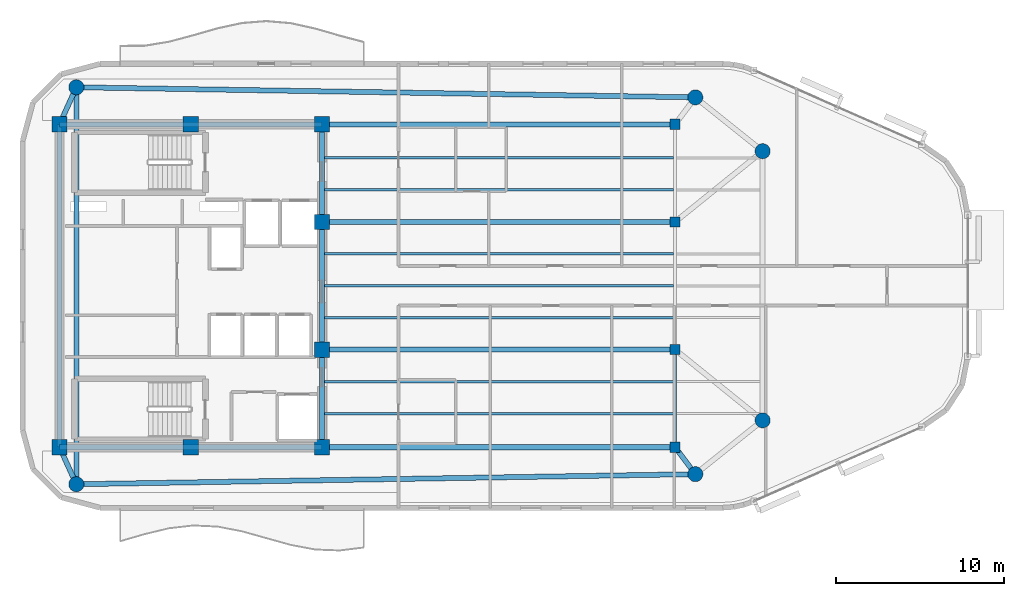
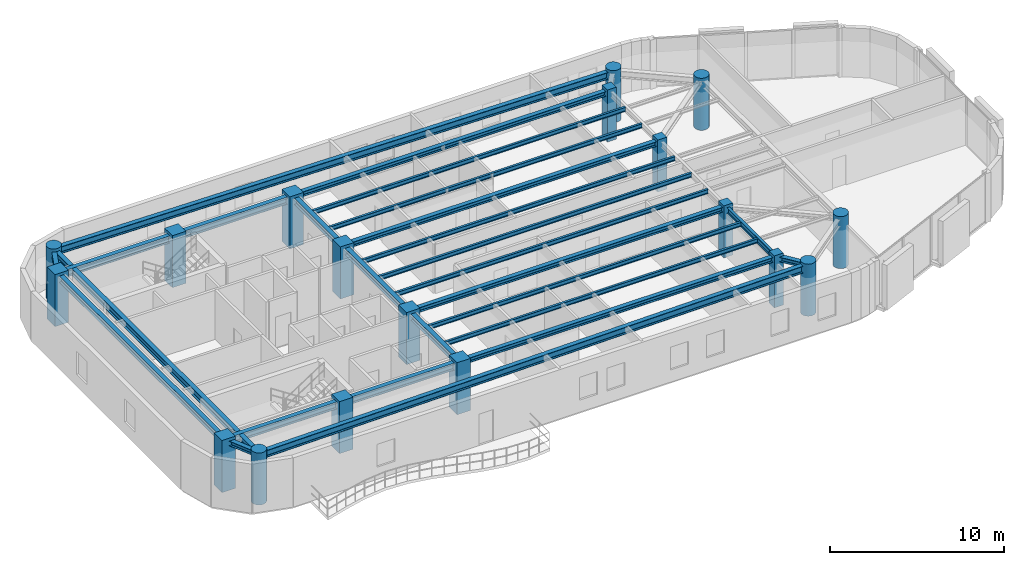
# One storey, part 1 of 14: 24 beams, 18 columns.
"""IFC4 building model written with IfcOpenShell, lengths in metres."""

from ifc_helpers import new_model, si_unit, direction, frame, origin, origin_2d, place, context, subcontext, project, spatial, rectangle, circle, i_section, extrude, material, material_profile, profile_set, type_object, element, save


model = new_model("IFC4")

# Units and contexts
model_context = context("Model", 3, precision=1e-05, world=origin(), true_north=direction((0.0, 1.0)))
body_context = subcontext(model_context, "Body", "Model", "MODEL_VIEW")
ifc_project = project(units=[si_unit("LENGTHUNIT", "METRE"), si_unit("AREAUNIT", "SQUARE_METRE"), si_unit("VOLUMEUNIT", "CUBIC_METRE"), si_unit("PLANEANGLEUNIT", "RADIAN"), si_unit("MASSUNIT", "GRAM", prefix="KILO")], contexts=[model_context])

# Site, building, storey
site_placement = place(None, origin())
site = spatial("IfcSite", under=ifc_project, at=site_placement, CompositionType="ELEMENT")
building_placement = place(site_placement, origin())
building = spatial("IfcBuilding", under=site, at=building_placement, Name="An Khanh Terracotta Commons", CompositionType="ELEMENT")
storey_placement = place(building_placement, frame((0.0, 0.0, 280.699951171875)))
storey = spatial("IfcBuildingStorey", under=building, at=storey_placement, Name="L73", CompositionType="ELEMENT", Elevation=280.699951171875)

# Columns
ifc_material_1 = material(Name="Concrete C50/60", Category="concrete")
ifc_material_profile_1 = material_profile(ifc_material_1, circle(Radius=0.449951171875, at=origin_2d()), Name="CFST900")
ifc_profile_set_1 = profile_set([ifc_material_profile_1], Name="Concrete C50/60")
column_type_1 = type_object("IfcColumnType", Name="COL-CFST900", PredefinedType="COLUMN", material=ifc_profile_set_1)
for number, where, z_axis, x_axis, name in (
    (1, (22.60009765625, 12.199951171875, 0.0), (0.0, 0.0, 1.0), (1.0, 0.0, 0.0), "L73 Perimeter CFST Mega-Column MC-01"),
    (2, (59.39990234375, 12.800048828125, 0.0), (0.0, 0.0, 1.0), (1.0, 0.0, 0.0), "L73 Perimeter CFST Mega-Column MC-02"),
    (3, (63.39990234375, 16.0, 0.0), (0.0, 0.0, 1.0), (1.0, 0.0, 0.0), "L73 Perimeter CFST Mega-Column MC-03"),
    (4, (63.39990234375, 32.0, 0.0), (0.0, 0.0, 1.0), (1.0, 0.0, 0.0), "L73 Perimeter CFST Mega-Column MC-04"),
    (5, (59.39990234375, 35.199951171875, 0.0), (0.0, 0.0, 1.0), (1.0, 0.0, 0.0), "L73 Perimeter CFST Mega-Column MC-05"),
    (6, (22.60009765625, 35.800048828125, 0.0), (0.0, 0.0, 1.0), (1.0, 0.0, 0.0), "L73 Perimeter CFST Mega-Column MC-06"),
):
    element("IfcColumn", number, at=place(storey_placement, frame(where, z_axis=z_axis, x_axis=x_axis)), inside=storey, type_object=column_type_1, Name=name, PredefinedType="COLUMN", context=body_context, shape_type="SweptSolid", body=[
        extrude(circle(Radius=0.449951171875, at=origin_2d()), origin(), (0.0, 0.0, 1.0), 3.650146484375),
    ])
ifc_material_profile_2 = material_profile(ifc_material_1, rectangle(XDim=0.60009765625, YDim=0.60009765625, at=origin_2d()), Name="RC600x600")
ifc_profile_set_2 = profile_set([ifc_material_profile_2], Name="Concrete C50/60")
column_type_2 = type_object("IfcColumnType", Name="COL-RC600x600", PredefinedType="COLUMN", material=ifc_profile_set_2)
for number, where, z_axis, x_axis, name in (
    (7, (58.199951171875, 14.39990234375, 0.0), (0.0, 0.0, 1.0), (1.0, 0.0, 0.0), "L73 Interior Frame Column TC-01"),
    (8, (58.199951171875, 20.199951171875, 0.0), (0.0, 0.0, 1.0), (1.0, 0.0, 0.0), "L73 Interior Frame Column TC-02"),
    (9, (58.199951171875, 27.800048828125, 0.0), (0.0, 0.0, 1.0), (1.0, 0.0, 0.0), "L73 Interior Frame Column TC-03"),
    (10, (58.199951171875, 33.60009765625, 0.0), (0.0, 0.0, 1.0), (1.0, 0.0, 0.0), "L73 Interior Frame Column TC-04"),
):
    element("IfcColumn", number, at=place(storey_placement, frame(where, z_axis=z_axis, x_axis=x_axis)), inside=storey, type_object=column_type_2, Name=name, PredefinedType="COLUMN", context=body_context, shape_type="SweptSolid", body=[
        extrude(rectangle(XDim=0.60009765625, YDim=0.60009765625, at=origin_2d()), origin(), (0.0, 0.0, 1.0), 3.650146484375),
    ])
ifc_material_profile_3 = material_profile(ifc_material_1, rectangle(XDim=0.89990234375, YDim=0.89990234375, at=origin_2d()), Name="RC900x900")
ifc_profile_set_3 = profile_set([ifc_material_profile_3], Name="Concrete C50/60")
column_type_3 = type_object("IfcColumnType", Name="COL-RC900x900", PredefinedType="COLUMN", material=ifc_profile_set_3)
for number, where, z_axis, x_axis, name in (
    (11, (21.60009765625, 14.39990234375, 0.0), (0.0, 0.0, 1.0), (1.0, 0.0, 0.0), "L73 Core Boundary Column CC-01"),
    (12, (29.39990234375, 14.39990234375, 0.0), (0.0, 0.0, 1.0), (1.0, 0.0, 0.0), "L73 Core Boundary Column CC-02"),
    (13, (37.199951171875, 14.39990234375, 0.0), (0.0, 0.0, 1.0), (1.0, 0.0, 0.0), "L73 Core Boundary Column CC-03"),
    (14, (37.199951171875, 20.199951171875, 0.0), (0.0, 0.0, 1.0), (1.0, 0.0, 0.0), "L73 Core Boundary Column CC-04"),
    (15, (37.199951171875, 27.800048828125, 0.0), (0.0, 0.0, 1.0), (1.0, 0.0, 0.0), "L73 Core Boundary Column CC-05"),
    (16, (37.199951171875, 33.60009765625, 0.0), (0.0, 0.0, 1.0), (1.0, 0.0, 0.0), "L73 Core Boundary Column CC-06"),
    (17, (29.39990234375, 33.60009765625, 0.0), (0.0, 0.0, 1.0), (1.0, 0.0, 0.0), "L73 Core Boundary Column CC-07"),
    (18, (21.60009765625, 33.60009765625, 0.0), (0.0, 0.0, 1.0), (1.0, 0.0, 0.0), "L73 Core Boundary Column CC-08"),
):
    element("IfcColumn", number, at=place(storey_placement, frame(where, z_axis=z_axis, x_axis=x_axis)), inside=storey, type_object=column_type_3, Name=name, PredefinedType="COLUMN", context=body_context, shape_type="SweptSolid", body=[
        extrude(rectangle(XDim=0.89990234375, YDim=0.89990234375, at=origin_2d()), origin(), (0.0, 0.0, 1.0), 3.650146484375),
    ])

# Beams
ifc_material_2 = material(Name="Steel S355J2", Category="steel")
ifc_material_profile_4 = material_profile(ifc_material_2, i_section(OverallWidth=0.300048828125, OverallDepth=0.340087890625, WebThickness=0.011962890625, FlangeThickness=0.021484375, FilletRadius=0.027099609375, at=origin_2d()), Name="HEB340")
ifc_profile_set_4 = profile_set([ifc_material_profile_4], Name="Steel S355J2")
beam_type_1 = type_object("IfcBeamType", Name="BM-HEB340", PredefinedType="BEAM", material=ifc_profile_set_4)
for number, where, z_axis, x_axis, name in (
    (19, (37.199951171875, 14.39990234375, 3.280029296875), (1.0, 0.0, 0.0), (0.0, 1.0, 0.0), "L73 East Primary Floor Girder 1"),
    (20, (37.199951171875, 20.199951171875, 3.280029296875), (1.0, 0.0, 0.0), (0.0, 1.0, 0.0), "L73 East Primary Floor Girder 2"),
    (21, (37.199951171875, 27.800048828125, 3.280029296875), (1.0, 0.0, 0.0), (0.0, 1.0, 0.0), "L73 East Primary Floor Girder 3"),
    (22, (37.199951171875, 33.60009765625, 3.280029296875), (1.0, 0.0, 0.0), (0.0, 1.0, 0.0), "L73 East Primary Floor Girder 4"),
):
    element("IfcBeam", number, at=place(storey_placement, frame(where, z_axis=z_axis, x_axis=x_axis)), inside=storey, type_object=beam_type_1, Name=name, PredefinedType="BEAM", context=body_context, shape_type="SweptSolid", body=[
        extrude(i_section(OverallWidth=0.300048828125, OverallDepth=0.340087890625, WebThickness=0.011962890625, FlangeThickness=0.021484375, FilletRadius=0.027099609375, at=origin_2d()), origin(), (0.0, 0.0, 1.0), 21.0),
    ])
beam_1_placement = place(storey_placement, frame((22.60009765625, 12.199951171875, 3.280029296875), z_axis=(-0.413810555983, 0.910363017569, 0.0), x_axis=(-0.910363017569, -0.413810555983, 0.0)))
element("IfcBeam", 23, at=beam_1_placement, inside=storey, type_object=beam_type_1, Name="L73 Mega-Column Tie Girder 1", PredefinedType="BEAM", context=body_context, shape_type="SweptSolid", body=[
    extrude(i_section(OverallWidth=0.300048828125, OverallDepth=0.340087890625, WebThickness=0.011962890625, FlangeThickness=0.021484375, FilletRadius=0.027099609375, at=origin_2d()), origin(), (0.0, 0.0, 1.0), 2.41650390625),
])
beam_2_placement = place(storey_placement, frame((59.39990234375, 12.800048828125, 3.280029296875), z_axis=(-0.600019532502, 0.799985350251, 0.0), x_axis=(-0.799985350251, -0.600019532502, 0.0)))
element("IfcBeam", 24, at=beam_2_placement, inside=storey, type_object=beam_type_1, Name="L73 Mega-Column Tie Girder 2", PredefinedType="BEAM", context=body_context, shape_type="SweptSolid", body=[
    extrude(i_section(OverallWidth=0.300048828125, OverallDepth=0.340087890625, WebThickness=0.011962890625, FlangeThickness=0.021484375, FilletRadius=0.027099609375, at=origin_2d()), origin(), (0.0, 0.0, 1.0), 1.999755859375),
])
beam_3_placement = place(storey_placement, frame((22.60009765625, 35.800048828125, 3.280029296875), z_axis=(-0.413810555983, -0.910363017569, 0.0), x_axis=(0.910363017569, -0.413810555983, 0.0)))
element("IfcBeam", 25, at=beam_3_placement, inside=storey, type_object=beam_type_1, Name="L73 Mega-Column Tie Girder 6", PredefinedType="BEAM", context=body_context, shape_type="SweptSolid", body=[
    extrude(i_section(OverallWidth=0.300048828125, OverallDepth=0.340087890625, WebThickness=0.011962890625, FlangeThickness=0.021484375, FilletRadius=0.027099609375, at=origin_2d()), origin(), (0.0, 0.0, 1.0), 2.41650390625),
])
ifc_material_profile_5 = material_profile(ifc_material_2, i_section(OverallWidth=0.300048828125, OverallDepth=0.449951171875, WebThickness=0.013916015625, FlangeThickness=0.02587890625, FilletRadius=0.027099609375, at=origin_2d()), Name="HEB450")
ifc_profile_set_5 = profile_set([ifc_material_profile_5], Name="Steel S355J2")
beam_type_2 = type_object("IfcBeamType", Name="BM-HEB450", PredefinedType="BEAM", material=ifc_profile_set_5)
beam_4_placement = place(storey_placement, frame((37.199951171875, 14.39990234375, 3.22509765625), z_axis=(0.0, 1.0, 0.0), x_axis=(-1.0, 0.0, 0.0)))
element("IfcBeam", 26, at=beam_4_placement, inside=storey, type_object=beam_type_2, Name="L73 Core East Coupling Girder 1", PredefinedType="BEAM", context=body_context, shape_type="SweptSolid", body=[
    extrude(i_section(OverallWidth=0.300048828125, OverallDepth=0.449951171875, WebThickness=0.013916015625, FlangeThickness=0.02587890625, FilletRadius=0.027099609375, at=origin_2d()), origin(), (0.0, 0.0, 1.0), 5.800048828125),
])
beam_5_placement = place(storey_placement, frame((37.199951171875, 20.199951171875, 3.22509765625), z_axis=(0.0, 1.0, 0.0), x_axis=(-1.0, 0.0, 0.0)))
element("IfcBeam", 27, at=beam_5_placement, inside=storey, type_object=beam_type_2, Name="L73 Core East Coupling Girder 2", PredefinedType="BEAM", context=body_context, shape_type="SweptSolid", body=[
    extrude(i_section(OverallWidth=0.300048828125, OverallDepth=0.449951171875, WebThickness=0.013916015625, FlangeThickness=0.02587890625, FilletRadius=0.027099609375, at=origin_2d()), origin(), (0.0, 0.0, 1.0), 7.60009765625),
])
beam_6_placement = place(storey_placement, frame((37.199951171875, 27.800048828125, 3.22509765625), z_axis=(0.0, 1.0, 0.0), x_axis=(-1.0, 0.0, 0.0)))
element("IfcBeam", 28, at=beam_6_placement, inside=storey, type_object=beam_type_2, Name="L73 Core East Coupling Girder 3", PredefinedType="BEAM", context=body_context, shape_type="SweptSolid", body=[
    extrude(i_section(OverallWidth=0.300048828125, OverallDepth=0.449951171875, WebThickness=0.013916015625, FlangeThickness=0.02587890625, FilletRadius=0.027099609375, at=origin_2d()), origin(), (0.0, 0.0, 1.0), 5.800048828125),
])
beam_7_placement = place(storey_placement, frame((21.60009765625, 14.39990234375, 3.22509765625), z_axis=(0.0, 1.0, 0.0), x_axis=(-1.0, 0.0, 0.0)))
element("IfcBeam", 29, at=beam_7_placement, inside=storey, type_object=beam_type_2, Name="L73 Core West Coupling Girder", PredefinedType="BEAM", context=body_context, shape_type="SweptSolid", body=[
    extrude(i_section(OverallWidth=0.300048828125, OverallDepth=0.449951171875, WebThickness=0.013916015625, FlangeThickness=0.02587890625, FilletRadius=0.027099609375, at=origin_2d()), origin(), (0.0, 0.0, 1.0), 19.2001953125),
])
ifc_material_profile_6 = material_profile(ifc_material_2, i_section(OverallWidth=0.300048828125, OverallDepth=0.5, WebThickness=0.014404296875, FlangeThickness=0.028076171875, FilletRadius=0.027099609375, at=origin_2d()), Name="HEB500")
ifc_profile_set_6 = profile_set([ifc_material_profile_6], Name="Steel S355J2")
beam_type_3 = type_object("IfcBeamType", Name="BM-HEB500", PredefinedType="BEAM", material=ifc_profile_set_6)
for number, where, z_axis, x_axis, name in (
    (30, (21.60009765625, 14.39990234375, 3.199951171875), (1.0, 0.0, 0.0), (0.0, 1.0, 0.0), "L73 Core South Coupling Girder"),
    (31, (21.60009765625, 33.60009765625, 3.199951171875), (1.0, 0.0, 0.0), (0.0, 1.0, 0.0), "L73 Core North Coupling Girder"),
):
    element("IfcBeam", number, at=place(storey_placement, frame(where, z_axis=z_axis, x_axis=x_axis)), inside=storey, type_object=beam_type_3, Name=name, PredefinedType="BEAM", context=body_context, shape_type="SweptSolid", body=[
        extrude(i_section(OverallWidth=0.300048828125, OverallDepth=0.5, WebThickness=0.014404296875, FlangeThickness=0.028076171875, FilletRadius=0.027099609375, at=origin_2d()), origin(), (0.0, 0.0, 1.0), 15.599853515625),
    ])
for number, where, z_axis, x_axis, name in (
    (32, (22.60009765625, 12.199951171875, 3.199951171875), (0.999867065951, 0.01630492031, 0.0), (-0.01630492031, 0.999867065951, 0.0), "L73 Perimeter Ring Spandrel 1"),
    (33, (59.39990234375, 35.199951171875, 3.199951171875), (-0.999867065951, 0.01630492031, 0.0), (-0.01630492031, -0.999867065951, 0.0), "L73 Perimeter Ring Spandrel 5"),
):
    element("IfcBeam", number, at=place(storey_placement, frame(where, z_axis=z_axis, x_axis=x_axis)), inside=storey, type_object=beam_type_3, Name=name, PredefinedType="BEAM", context=body_context, shape_type="SweptSolid", body=[
        extrude(i_section(OverallWidth=0.300048828125, OverallDepth=0.5, WebThickness=0.014404296875, FlangeThickness=0.028076171875, FilletRadius=0.027099609375, at=origin_2d()), origin(), (0.0, 0.0, 1.0), 36.8046875),
    ])
beam_8_placement = place(storey_placement, frame((22.60009765625, 35.800048828125, 3.199951171875), z_axis=(0.0, -1.0, 0.0), x_axis=(1.0, 0.0, 0.0)))
element("IfcBeam", 34, at=beam_8_placement, inside=storey, type_object=beam_type_3, Name="L73 Perimeter Ring Spandrel 6", PredefinedType="BEAM", context=body_context, shape_type="SweptSolid", body=[
    extrude(i_section(OverallWidth=0.300048828125, OverallDepth=0.5, WebThickness=0.014404296875, FlangeThickness=0.028076171875, FilletRadius=0.027099609375, at=origin_2d()), origin(), (0.0, 0.0, 1.0), 23.60009765625),
])
ifc_material_profile_7 = material_profile(ifc_material_2, i_section(OverallWidth=0.14990234375, OverallDepth=0.300048828125, WebThickness=0.007080078125, FlangeThickness=0.0107421875, FilletRadius=0.014892578125, at=origin_2d()), Name="IPE300")
ifc_profile_set_7 = profile_set([ifc_material_profile_7], Name="Steel S355J2")
beam_type_4 = type_object("IfcBeamType", Name="BM-IPE300", PredefinedType="JOIST", material=ifc_profile_set_7)
for number, where, z_axis, x_axis, name in (
    (35, (37.199951171875, 16.39990234375, 3.300048828125), (1.0, 0.0, 0.0), (0.0, 1.0, 0.0), "L73 Inboard Composite Joist 1"),
    (36, (37.199951171875, 18.300048828125, 3.300048828125), (1.0, 0.0, 0.0), (0.0, 1.0, 0.0), "L73 Inboard Composite Joist 2"),
    (37, (37.199951171875, 22.10009765625, 3.300048828125), (1.0, 0.0, 0.0), (0.0, 1.0, 0.0), "L73 Inboard Composite Joist 3"),
    (38, (37.199951171875, 24.0, 3.300048828125), (1.0, 0.0, 0.0), (0.0, 1.0, 0.0), "L73 Inboard Composite Joist 4"),
    (39, (37.199951171875, 25.89990234375, 3.300048828125), (1.0, 0.0, 0.0), (0.0, 1.0, 0.0), "L73 Inboard Composite Joist 5"),
    (40, (37.199951171875, 29.699951171875, 3.300048828125), (1.0, 0.0, 0.0), (0.0, 1.0, 0.0), "L73 Inboard Composite Joist 6"),
    (41, (37.199951171875, 31.60009765625, 3.300048828125), (1.0, 0.0, 0.0), (0.0, 1.0, 0.0), "L73 Inboard Composite Joist 7"),
):
    element("IfcBeam", number, at=place(storey_placement, frame(where, z_axis=z_axis, x_axis=x_axis)), inside=storey, type_object=beam_type_4, Name=name, PredefinedType="JOIST", context=body_context, shape_type="SweptSolid", body=[
        extrude(i_section(OverallWidth=0.14990234375, OverallDepth=0.300048828125, WebThickness=0.007080078125, FlangeThickness=0.0107421875, FilletRadius=0.014892578125, at=origin_2d()), origin(), (0.0, 0.0, 1.0), 20.91015625),
    ])
ifc_material_profile_8 = material_profile(ifc_material_2, i_section(OverallWidth=0.179931640625, OverallDepth=0.39990234375, WebThickness=0.008544921875, FlangeThickness=0.013427734375, FilletRadius=0.02099609375, at=origin_2d()), Name="IPE400")
ifc_profile_set_8 = profile_set([ifc_material_profile_8], Name="Steel S355J2")
beam_type_5 = type_object("IfcBeamType", Name="BM-IPE400", PredefinedType="JOIST", material=ifc_profile_set_8)
beam_9_placement = place(storey_placement, frame((58.199951171875, 14.550048828125, 3.25), z_axis=(0.0, 1.0, 0.0), x_axis=(-1.0, 0.0, 0.0)))
element("IfcBeam", 42, at=beam_9_placement, inside=storey, type_object=beam_type_5, Name="L73 East Spine Girder 1", PredefinedType="JOIST", context=body_context, shape_type="SweptSolid", body=[
    extrude(i_section(OverallWidth=0.179931640625, OverallDepth=0.39990234375, WebThickness=0.008544921875, FlangeThickness=0.013427734375, FilletRadius=0.02099609375, at=origin_2d()), origin(), (0.0, 0.0, 1.0), 5.5),
])

save(model, "model.ifc")
